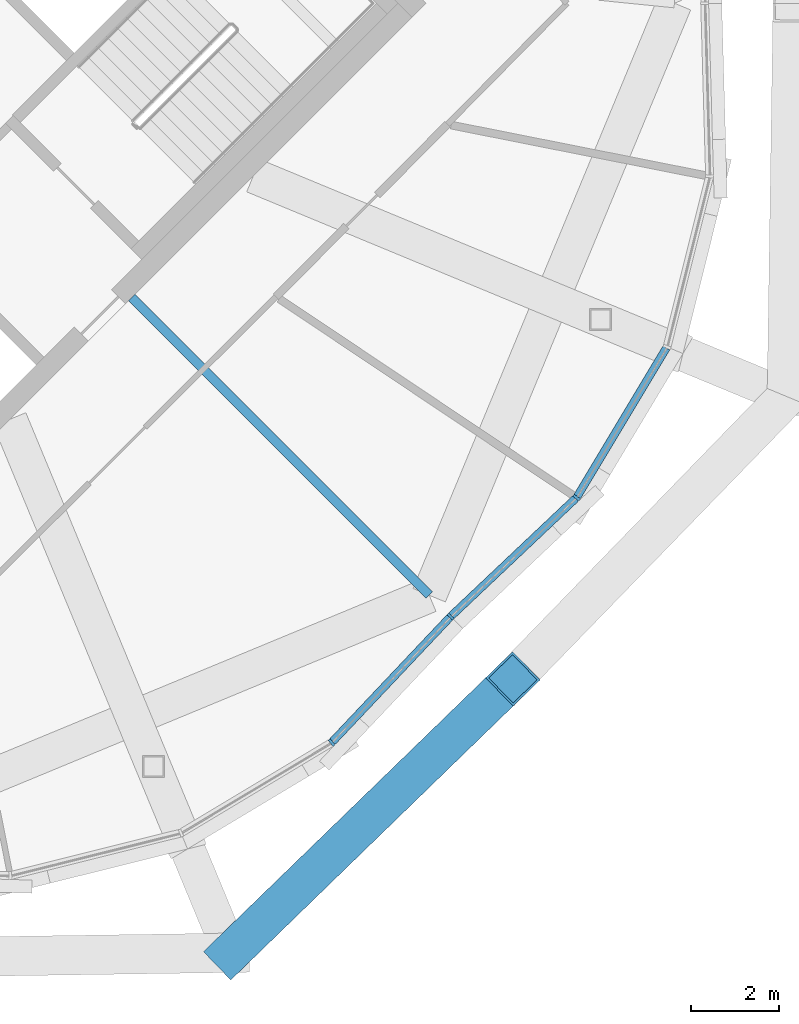
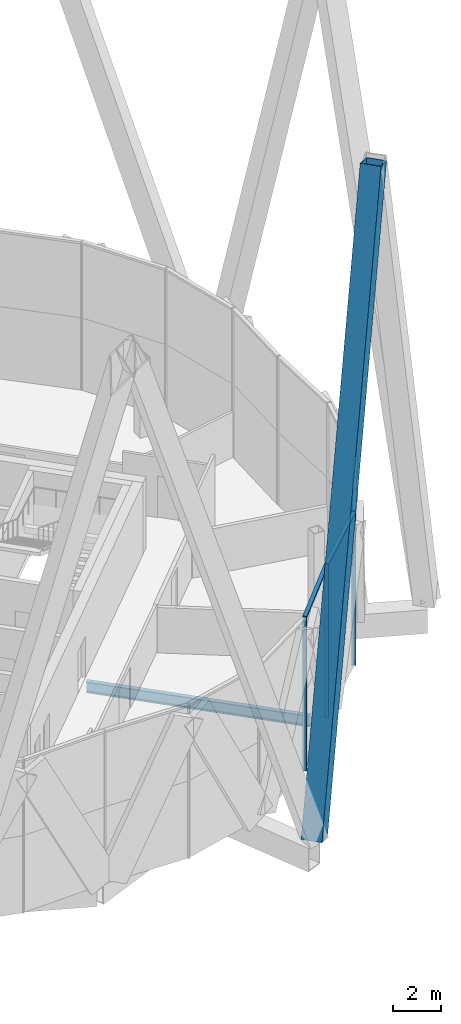
# One storey, part 29 of 53: 7 members, 1 beam, 2 elements without a shape of their own.
"""IFC4 building model written with IfcOpenShell, lengths in metres."""

from ifc_helpers import new_model, si_unit, direction, frame, origin, origin_2d, place, context, subcontext, project, spatial, rectangle, hollow_rectangle, i_section, extrude, material, material_profile, profile_set, type_object, element, aggregate, save


model = new_model("IFC4")

# Units and contexts
model_context = context("Model", 3, precision=1e-05, world=origin(), true_north=direction((0.0, 1.0)))
body_context = subcontext(model_context, "Body", "Model", "MODEL_VIEW")
ifc_project = project(units=[si_unit("LENGTHUNIT", "METRE"), si_unit("AREAUNIT", "SQUARE_METRE"), si_unit("VOLUMEUNIT", "CUBIC_METRE"), si_unit("PLANEANGLEUNIT", "RADIAN"), si_unit("MASSUNIT", "GRAM", prefix="KILO")], contexts=[model_context])

# Site, building, storey
site_placement = place(None, origin())
site = spatial("IfcSite", under=ifc_project, at=site_placement, CompositionType="ELEMENT")
building_placement = place(site_placement, origin())
building = spatial("IfcBuilding", under=site, at=building_placement, Name="Ogive Gate Towers", CompositionType="ELEMENT")
storey_placement = place(building_placement, frame((0.0, 0.0, 240.60009765625)))
storey = spatial("IfcBuildingStorey", under=building, at=storey_placement, Name="L57", CompositionType="ELEMENT", Elevation=240.60009765625)

# Member
ifc_material_1 = material(Name="Steel SM460", Category="steel")
ifc_material_profile_1 = material_profile(ifc_material_1, hollow_rectangle(XDim=0.89990234375, YDim=0.89990234375, WallThickness=0.050048828125, at=origin_2d()), Name="BX 900x900x50")
ifc_profile_set_1 = profile_set([ifc_material_profile_1], Name="Steel SM460")
member_type_1 = type_object("IfcMemberType", Name="Diagrid diagonal BX 900x900x50", PredefinedType="BRACE", material=ifc_profile_set_1)
member_1_placement = place(storey_placement, frame((44.977783203125, -21.67431640625, 0.0), z_axis=(0.217751746913, 0.211259451685, 0.952866003586), x_axis=(-0.696326291775, 0.717725362087, 0.0)))
element("IfcMember", 1, at=member_1_placement, inside=storey, type_object=member_type_1, Name="T2/L57/SDG014", PredefinedType="BRACE", context=body_context, shape_type="SweptSolid", body=[
    extrude(hollow_rectangle(XDim=0.89990234375, YDim=0.89990234375, WallThickness=0.050048828125, at=origin_2d()), origin(), (0.0, 0.0, 1.0), 29.594970703125),
])

# Beam
ifc_material_2 = material(Name="Steel SM355", Category="steel")
ifc_material_profile_2 = material_profile(ifc_material_2, i_section(OverallWidth=0.2099609375, OverallDepth=0.550048828125, WebThickness=0.010986328125, FlangeThickness=0.01708984375, FilletRadius=0.02392578125, at=origin_2d()), Name="IPE 550")
ifc_profile_set_2 = profile_set([ifc_material_profile_2], Name="Steel SM355")
beam_type = type_object("IfcBeamType", Name="Radial floor beam IPE 550", PredefinedType="BEAM", material=ifc_profile_set_2)
beam_placement = place(storey_placement, frame((42.717529296875, -6.717529296875, -0.5751953125), z_axis=(0.707106781187, -0.707106781187, 0.0), x_axis=(0.707106781187, 0.707106781187, 0.0)))
element("IfcBeam", 2, at=beam_placement, inside=storey, type_object=beam_type, Name="T2/L57/SBM005", PredefinedType="BEAM", context=body_context, shape_type="SweptSolid", body=[
    extrude(i_section(OverallWidth=0.2099609375, OverallDepth=0.550048828125, WebThickness=0.010986328125, FlangeThickness=0.01708984375, FilletRadius=0.02392578125, at=origin_2d()), origin(), (0.0, 0.0, 1.0), 9.60986328125),
])

# Curtain wall, members
ifc_material_3 = material(Name="Pale metal aluminium", Category="aluminium")
curtain_wall_type = type_object("IfcCurtainWallType", Name="Tower unitised wall, high zone", PredefinedType="NOTDEFINED", material=ifc_material_3)
curtain_wall_1_placement = place(storey_placement, origin())
curtain_wall_1 = element("IfcCurtainWall", 3, at=curtain_wall_1_placement, inside=storey, type_object=curtain_wall_type, Name="CW2 T2 ECW07", PredefinedType="NOTDEFINED")
ifc_material_profile_3 = material_profile(ifc_material_3, rectangle(XDim=0.179931640625, YDim=0.06005859375, at=origin_2d()), Name="60 x 180 aluminium box")
ifc_profile_set_3 = profile_set([ifc_material_profile_3], Name="Pale metal aluminium")
member_type_2 = type_object("IfcMemberType", Name="Tower unitised wall, high zone mullion 60 x 180", PredefinedType="MULLION", material=ifc_profile_set_3)
member_2_placement = place(storey_placement, frame((47.284912109375, -16.875, -0.300048828125), z_axis=(0.0, 0.0, 1.0), x_axis=(0.626671819046, -0.779283280466, 0.0)))
member_2 = element("IfcMember", 4, at=member_2_placement, type_object=member_type_2, Name="CW2 mullion", PredefinedType="MULLION", context=body_context, shape_type="SweptSolid", body=[
    extrude(rectangle(XDim=0.179931640625, YDim=0.06005859375, at=origin_2d()), origin(), (0.0, 0.0, 1.0), 7.800048828125),
])
member_3_placement = place(storey_placement, frame((50.00048828125, -14.0009765625, -0.300048828125), z_axis=(0.0, 0.0, 1.0), x_axis=(0.726850427027, -0.686795789687, 0.0)))
member_3 = element("IfcMember", 5, at=member_3_placement, type_object=member_type_2, Name="CW2 mullion", PredefinedType="MULLION", context=body_context, shape_type="SweptSolid", body=[
    extrude(rectangle(XDim=0.179931640625, YDim=0.06005859375, at=origin_2d()), origin(), (0.0, 0.0, 1.0), 7.800048828125),
])

# Curtain wall, member
curtain_wall_2_placement = place(storey_placement, origin())
curtain_wall_2 = element("IfcCurtainWall", 6, at=curtain_wall_2_placement, inside=storey, type_object=curtain_wall_type, Name="CW2 T2 ECW08", PredefinedType="NOTDEFINED")
member_4_placement = place(storey_placement, frame((52.875, -11.284912109375, -0.300048828125), z_axis=(0.0, 0.0, 1.0), x_axis=(0.779283280466, -0.626671819046, 0.0)))
member_4 = element("IfcMember", 7, at=member_4_placement, type_object=member_type_2, Name="CW2 mullion", PredefinedType="MULLION", context=body_context, shape_type="SweptSolid", body=[
    extrude(rectangle(XDim=0.179931640625, YDim=0.06005859375, at=origin_2d()), origin(), (0.0, 0.0, 1.0), 7.800048828125),
])

# Member
ifc_material_profile_4 = material_profile(ifc_material_3, rectangle(XDim=0.179931640625, YDim=0.10009765625, at=origin_2d()), Name="100 x 180 aluminium box")
ifc_profile_set_4 = profile_set([ifc_material_profile_4], Name="Pale metal aluminium")
member_type_3 = type_object("IfcMemberType", Name="Tower unitised wall, high zone transom 100 x 180", PredefinedType="USERDEFINED", material=ifc_profile_set_4)
member_5_placement = place(storey_placement, frame((47.3046875, -16.85400390625, 7.449951171875), z_axis=(0.686798350204, 0.726848007603, 0.0), x_axis=(-0.726848007603, 0.686798350204, 0.0)))
member_5 = element("IfcMember", 8, at=member_5_placement, type_object=member_type_3, Name="CW2 transom", ObjectType="TRANSOM", PredefinedType="USERDEFINED", context=body_context, shape_type="SweptSolid", body=[
    extrude(rectangle(XDim=0.179931640625, YDim=0.10009765625, at=origin_2d()), origin(), (0.0, 0.0, 1.0), 3.895263671875),
])

aggregate(curtain_wall_1, [member_2, member_3, member_5])

member_6_placement = place(storey_placement, frame((50.022705078125, -13.97998046875, 7.449951171875), z_axis=(0.726848007603, 0.686798350204, 0.0), x_axis=(-0.686798350204, 0.726848007603, 0.0)))
member_6 = element("IfcMember", 9, at=member_6_placement, type_object=member_type_3, Name="CW2 transom", ObjectType="TRANSOM", PredefinedType="USERDEFINED", context=body_context, shape_type="SweptSolid", body=[
    extrude(rectangle(XDim=0.179931640625, YDim=0.10009765625, at=origin_2d()), origin(), (0.0, 0.0, 1.0), 3.895263671875),
])

member_7_placement = place(storey_placement, frame((52.8896484375, -11.260498046875, 7.449951171875), z_axis=(0.51482252034, 0.857296782072, 0.0), x_axis=(-0.857296782072, 0.51482252034, 0.0)))
member_7 = element("IfcMember", 10, at=member_7_placement, type_object=member_type_3, Name="CW2 transom", ObjectType="TRANSOM", PredefinedType="USERDEFINED", context=body_context, shape_type="SweptSolid", body=[
    extrude(rectangle(XDim=0.179931640625, YDim=0.10009765625, at=origin_2d()), origin(), (0.0, 0.0, 1.0), 3.955078125),
])

aggregate(curtain_wall_2, [member_4, member_6, member_7])

save(model, "model.ifc")
